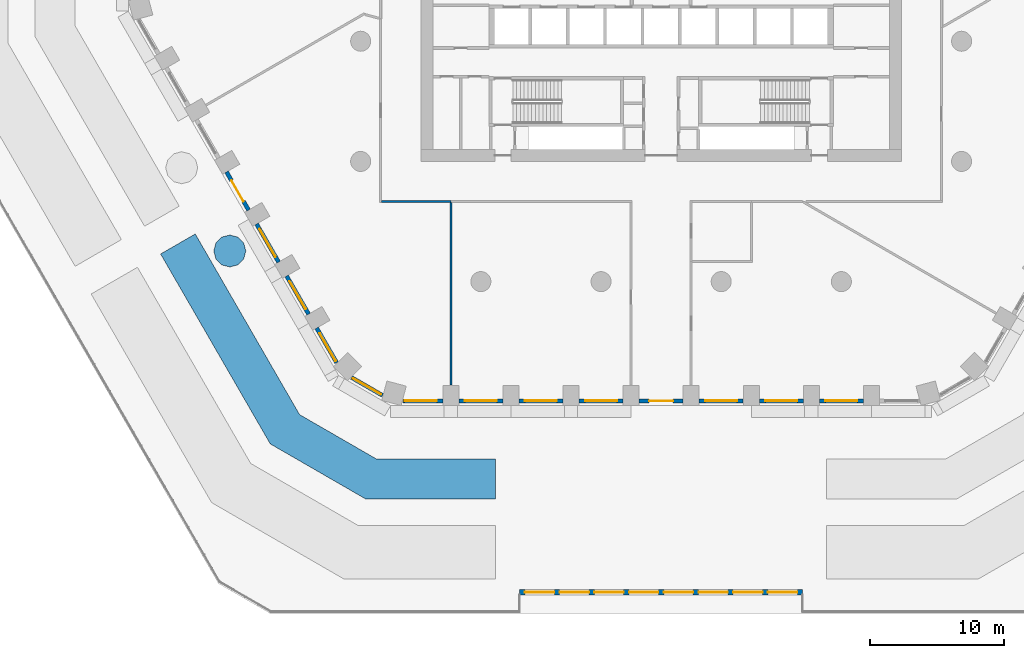
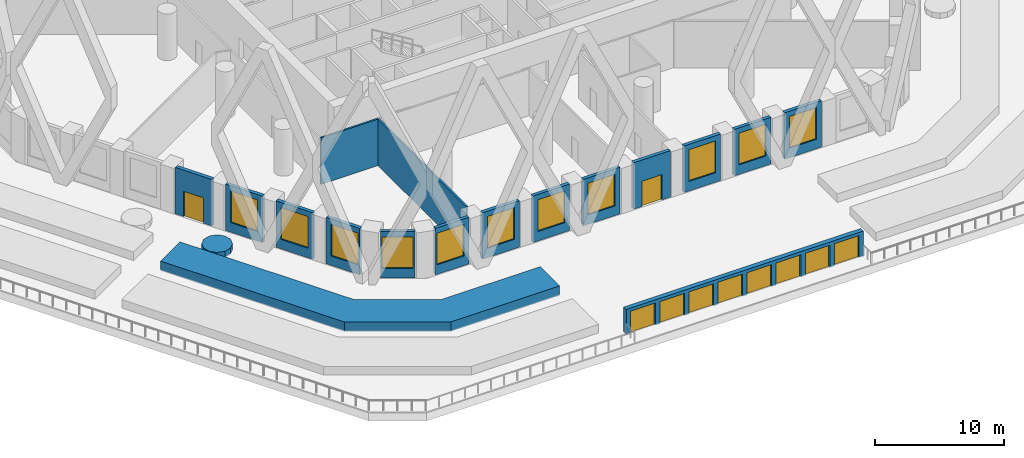
# One storey, part 3 of 27: 18 walls, 11 windows, 10 doors, 21 openings.
"""IFC4 building model written with IfcOpenShell, lengths in metres."""

from ifc_helpers import new_model, si_unit, direction, frame, frame_2d, origin, place, context, subcontext, project, spatial, polyline, rectangle, outline, extrude, material, layer, layer_set, type_object, element, fill, save


model = new_model("IFC4")

# Units and contexts
model_context = context("Model", 3, precision=1e-05, world=origin(), true_north=direction((0.0, 1.0)))
body_context = subcontext(model_context, "Body", "Model", "MODEL_VIEW")
ifc_project = project(units=[si_unit("LENGTHUNIT", "METRE"), si_unit("AREAUNIT", "SQUARE_METRE"), si_unit("VOLUMEUNIT", "CUBIC_METRE"), si_unit("PLANEANGLEUNIT", "RADIAN"), si_unit("MASSUNIT", "GRAM", prefix="KILO")], contexts=[model_context])

# Site, building, storey
site_placement = place(None, origin())
site = spatial("IfcSite", under=ifc_project, at=site_placement, CompositionType="ELEMENT")
building_placement = place(site_placement, origin())
building = spatial("IfcBuilding", under=site, at=building_placement, Name="Dhurran Vertical Campus", CompositionType="ELEMENT")
storey_placement = place(building_placement, frame((0.0, 0.0, 10.800048828125)))
storey = spatial("IfcBuildingStorey", under=building, at=storey_placement, Name="L02", CompositionType="ELEMENT", Elevation=10.800048828125)

# Wall, opening, window
ifc_material_1 = material(Name="Precast concrete C50/60", Category="concrete")
ifc_layer_1 = layer(ifc_material_1, 0.300048828125)
ifc_layer_set_1 = layer_set([ifc_layer_1], Name="Precast concrete C50/60")
wall_type_1 = type_object("IfcWallType", Name="Precast spandrel wall 300", PredefinedType="SOLIDWALL", material=ifc_layer_set_1)
wall_1_placement = place(storey_placement, frame((-19.33935546875, -31.4296875, 0.0), z_axis=(0.0, 0.0, 1.0), x_axis=(1.0, 0.0, 0.0)))
wall_1 = element("IfcWall", 1, at=wall_1_placement, inside=storey, type_object=wall_type_1, Name="EW1 L02.00", PredefinedType="SOLIDWALL", context=body_context, shape_type="SweptSolid", body=[
    extrude(rectangle(XDim=2.98876953125, YDim=0.300048828125, at=frame_2d((1.494384765625, 0.0))), origin(), (0.0, 0.0, 1.0), 4.39990234375),
])
opening_1_placement = place(wall_1_placement, frame((0.139404296875, 0.0, 0.89990234375)))
opening_1 = element("IfcOpeningElement", 2, at=opening_1_placement, cuts=wall_1, Name="Opening WT2", PredefinedType="OPENING", context=body_context, shape_type="SweptSolid", body=[
    extrude(rectangle(XDim=2.39990234375, YDim=3.0, at=frame_2d((1.199951171875, 1.5))), frame((0.0, 0.159912109375, 0.0), z_axis=(0.0, -1.0, 0.0), x_axis=(1.0, 0.0, 0.0)), (0.0, 0.0, 1.0), 0.320068359375),
])
ifc_material_2 = material(Name="Aluminium frame with solar-control glass", Category="aluminium")
window_type = type_object("IfcWindowType", Name="Podium window 2400 x 3000", PartitioningType="SINGLE_PANEL", PredefinedType="WINDOW", material=ifc_material_2)
window_1_placement = place(opening_1_placement, origin())
window_1 = element("IfcWindow", 3, at=window_1_placement, inside=storey, type_object=window_type, Name="WT2 L02.00", OverallHeight=3.0, OverallWidth=2.39990234375, PartitioningType="SINGLE_PANEL", PredefinedType="WINDOW", context=body_context, shape_type="SweptSolid", body=[
    extrude(rectangle(XDim=2.39990234375, YDim=3.0, at=frame_2d((1.199951171875, 1.5))), frame((0.0, 0.030029296875, 0.0), z_axis=(0.0, -1.0, 0.0), x_axis=(1.0, 0.0, 0.0)), (0.0, 0.0, 1.0), 0.06005859375),
])
fill(opening_1, window_1)

wall_2_placement = place(storey_placement, frame((-15.1494140625, -31.4296875, 0.0), z_axis=(0.0, 0.0, 1.0), x_axis=(1.0, 0.0, 0.0)))
wall_2 = element("IfcWall", 4, at=wall_2_placement, inside=storey, type_object=wall_type_1, Name="EW1 L02.01", PredefinedType="SOLIDWALL", context=body_context, shape_type="SweptSolid", body=[
    extrude(rectangle(XDim=3.298828125, YDim=0.300048828125, at=frame_2d((1.6494140625, 0.0))), origin(), (0.0, 0.0, 1.0), 4.39990234375),
])
opening_2_placement = place(wall_2_placement, frame((0.449462890625, 0.0, 0.89990234375)))
opening_2 = element("IfcOpeningElement", 5, at=opening_2_placement, cuts=wall_2, Name="Opening WT2", PredefinedType="OPENING", context=body_context, shape_type="SweptSolid", body=[
    extrude(rectangle(XDim=2.39990234375, YDim=3.0, at=frame_2d((1.199951171875, 1.5))), frame((0.0, 0.159912109375, 0.0), z_axis=(0.0, -1.0, 0.0), x_axis=(1.0, 0.0, 0.0)), (0.0, 0.0, 1.0), 0.320068359375),
])
window_2_placement = place(opening_2_placement, origin())
window_2 = element("IfcWindow", 6, at=window_2_placement, inside=storey, type_object=window_type, Name="WT2 L02.01", OverallHeight=3.0, OverallWidth=2.39990234375, PartitioningType="SINGLE_PANEL", PredefinedType="WINDOW", context=body_context, shape_type="SweptSolid", body=[
    extrude(rectangle(XDim=2.39990234375, YDim=3.0, at=frame_2d((1.199951171875, 1.5))), frame((0.0, 0.030029296875, 0.0), z_axis=(0.0, -1.0, 0.0), x_axis=(1.0, 0.0, 0.0)), (0.0, 0.0, 1.0), 0.06005859375),
])
fill(opening_2, window_2)

wall_3_placement = place(storey_placement, frame((-10.6494140625, -31.4296875, 0.0), z_axis=(0.0, 0.0, 1.0), x_axis=(1.0, 0.0, 0.0)))
wall_3 = element("IfcWall", 7, at=wall_3_placement, inside=storey, type_object=wall_type_1, Name="EW1 L02.02", PredefinedType="SOLIDWALL", context=body_context, shape_type="SweptSolid", body=[
    extrude(rectangle(XDim=3.298828125, YDim=0.300048828125, at=frame_2d((1.6494140625, 0.0))), origin(), (0.0, 0.0, 1.0), 4.39990234375),
])
opening_3_placement = place(wall_3_placement, frame((0.449462890625, 0.0, 0.89990234375)))
opening_3 = element("IfcOpeningElement", 8, at=opening_3_placement, cuts=wall_3, Name="Opening WT2", PredefinedType="OPENING", context=body_context, shape_type="SweptSolid", body=[
    extrude(rectangle(XDim=2.39990234375, YDim=3.0, at=frame_2d((1.199951171875, 1.5))), frame((0.0, 0.159912109375, 0.0), z_axis=(0.0, -1.0, 0.0), x_axis=(1.0, 0.0, 0.0)), (0.0, 0.0, 1.0), 0.320068359375),
])
window_3_placement = place(opening_3_placement, origin())
window_3 = element("IfcWindow", 9, at=window_3_placement, inside=storey, type_object=window_type, Name="WT2 L02.02", OverallHeight=3.0, OverallWidth=2.39990234375, PartitioningType="SINGLE_PANEL", PredefinedType="WINDOW", context=body_context, shape_type="SweptSolid", body=[
    extrude(rectangle(XDim=2.39990234375, YDim=3.0, at=frame_2d((1.199951171875, 1.5))), frame((0.0, 0.030029296875, 0.0), z_axis=(0.0, -1.0, 0.0), x_axis=(1.0, 0.0, 0.0)), (0.0, 0.0, 1.0), 0.06005859375),
])
fill(opening_3, window_3)

wall_4_placement = place(storey_placement, frame((-6.1494140625, -31.4296875, 0.0), z_axis=(0.0, 0.0, 1.0), x_axis=(1.0, 0.0, 0.0)))
wall_4 = element("IfcWall", 10, at=wall_4_placement, inside=storey, type_object=wall_type_1, Name="EW1 L02.03", PredefinedType="SOLIDWALL", context=body_context, shape_type="SweptSolid", body=[
    extrude(rectangle(XDim=3.298828125, YDim=0.300048828125, at=frame_2d((1.6494140625, 0.0))), origin(), (0.0, 0.0, 1.0), 4.39990234375),
])
opening_4_placement = place(wall_4_placement, frame((0.449462890625, 0.0, 0.89990234375)))
opening_4 = element("IfcOpeningElement", 11, at=opening_4_placement, cuts=wall_4, Name="Opening WT2", PredefinedType="OPENING", context=body_context, shape_type="SweptSolid", body=[
    extrude(rectangle(XDim=2.39990234375, YDim=3.0, at=frame_2d((1.199951171875, 1.5))), frame((0.0, 0.159912109375, 0.0), z_axis=(0.0, -1.0, 0.0), x_axis=(1.0, 0.0, 0.0)), (0.0, 0.0, 1.0), 0.320068359375),
])
window_4_placement = place(opening_4_placement, origin())
window_4 = element("IfcWindow", 12, at=window_4_placement, inside=storey, type_object=window_type, Name="WT2 L02.03", OverallHeight=3.0, OverallWidth=2.39990234375, PartitioningType="SINGLE_PANEL", PredefinedType="WINDOW", context=body_context, shape_type="SweptSolid", body=[
    extrude(rectangle(XDim=2.39990234375, YDim=3.0, at=frame_2d((1.199951171875, 1.5))), frame((0.0, 0.030029296875, 0.0), z_axis=(0.0, -1.0, 0.0), x_axis=(1.0, 0.0, 0.0)), (0.0, 0.0, 1.0), 0.06005859375),
])
fill(opening_4, window_4)

# Wall, opening, door
wall_5_placement = place(storey_placement, frame((1.6494140625, -31.4296875, 0.0), z_axis=(0.0, 0.0, 1.0), x_axis=(-1.0, 0.0, 0.0)))
wall_5 = element("IfcWall", 13, at=wall_5_placement, inside=storey, type_object=wall_type_1, Name="EW1 L02.04", PredefinedType="SOLIDWALL", context=body_context, shape_type="SweptSolid", body=[
    extrude(rectangle(XDim=3.298828125, YDim=0.300048828125, at=frame_2d((1.6494140625, 0.0))), origin(), (0.0, 0.0, 1.0), 4.39990234375),
])
opening_5_placement = place(wall_5_placement, frame((0.74951171875, 0.0, 0.0)))
opening_5 = element("IfcOpeningElement", 14, at=opening_5_placement, cuts=wall_5, Name="Opening D101", PredefinedType="OPENING", context=body_context, shape_type="SweptSolid", body=[
    extrude(rectangle(XDim=1.800048828125, YDim=2.39990234375, at=frame_2d((0.89990234375, 1.199951171875))), frame((0.0, 0.159912109375, 0.0), z_axis=(0.0, -1.0, 0.0), x_axis=(1.0, 0.0, 0.0)), (0.0, 0.0, 1.0), 0.320068359375),
])
ifc_material_3 = material(Name="Aluminium and clear glass", Category="aluminium")
door_type_1 = type_object("IfcDoorType", Name="Aluminium and glass garden door pair 1800 x 2400", OperationType="DOUBLE_DOOR_SINGLE_SWING", PredefinedType="DOOR", material=ifc_material_3)
door_1_placement = place(opening_5_placement, origin())
door_1 = element("IfcDoor", 15, at=door_1_placement, inside=storey, type_object=door_type_1, Name="D101 garden deck door", OperationType="DOUBLE_DOOR_SINGLE_SWING", OverallHeight=2.39990234375, OverallWidth=1.800048828125, PredefinedType="DOOR", context=body_context, shape_type="SweptSolid", body=[
    extrude(rectangle(XDim=1.800048828125, YDim=2.39990234375, at=frame_2d((0.89990234375, 1.199951171875))), frame((0.0, 0.02490234375, 0.0), z_axis=(0.0, -1.0, 0.0), x_axis=(1.0, 0.0, 0.0)), (0.0, 0.0, 1.0), 0.050048828125),
])
fill(opening_5, door_1)

# Wall, opening, window
wall_6_placement = place(storey_placement, frame((2.8505859375, -31.4296875, 0.0), z_axis=(0.0, 0.0, 1.0), x_axis=(1.0, 0.0, 0.0)))
wall_6 = element("IfcWall", 16, at=wall_6_placement, inside=storey, type_object=wall_type_1, Name="EW1 L02.05", PredefinedType="SOLIDWALL", context=body_context, shape_type="SweptSolid", body=[
    extrude(rectangle(XDim=3.298828125, YDim=0.300048828125, at=frame_2d((1.6494140625, 0.0))), origin(), (0.0, 0.0, 1.0), 4.39990234375),
])
opening_6_placement = place(wall_6_placement, frame((0.449462890625, 0.0, 0.89990234375)))
opening_6 = element("IfcOpeningElement", 17, at=opening_6_placement, cuts=wall_6, Name="Opening WT2", PredefinedType="OPENING", context=body_context, shape_type="SweptSolid", body=[
    extrude(rectangle(XDim=2.39990234375, YDim=3.0, at=frame_2d((1.199951171875, 1.5))), frame((0.0, 0.159912109375, 0.0), z_axis=(0.0, -1.0, 0.0), x_axis=(1.0, 0.0, 0.0)), (0.0, 0.0, 1.0), 0.320068359375),
])
window_5_placement = place(opening_6_placement, origin())
window_5 = element("IfcWindow", 18, at=window_5_placement, inside=storey, type_object=window_type, Name="WT2 L02.05", OverallHeight=3.0, OverallWidth=2.39990234375, PartitioningType="SINGLE_PANEL", PredefinedType="WINDOW", context=body_context, shape_type="SweptSolid", body=[
    extrude(rectangle(XDim=2.39990234375, YDim=3.0, at=frame_2d((1.199951171875, 1.5))), frame((0.0, 0.030029296875, 0.0), z_axis=(0.0, -1.0, 0.0), x_axis=(1.0, 0.0, 0.0)), (0.0, 0.0, 1.0), 0.06005859375),
])
fill(opening_6, window_5)

wall_7_placement = place(storey_placement, frame((7.3505859375, -31.4296875, 0.0), z_axis=(0.0, 0.0, 1.0), x_axis=(1.0, 0.0, 0.0)))
wall_7 = element("IfcWall", 19, at=wall_7_placement, inside=storey, type_object=wall_type_1, Name="EW1 L02.06", PredefinedType="SOLIDWALL", context=body_context, shape_type="SweptSolid", body=[
    extrude(rectangle(XDim=3.298828125, YDim=0.300048828125, at=frame_2d((1.6494140625, 0.0))), origin(), (0.0, 0.0, 1.0), 4.39990234375),
])
opening_7_placement = place(wall_7_placement, frame((0.449462890625, 0.0, 0.89990234375)))
opening_7 = element("IfcOpeningElement", 20, at=opening_7_placement, cuts=wall_7, Name="Opening WT2", PredefinedType="OPENING", context=body_context, shape_type="SweptSolid", body=[
    extrude(rectangle(XDim=2.39990234375, YDim=3.0, at=frame_2d((1.199951171875, 1.5))), frame((0.0, 0.159912109375, 0.0), z_axis=(0.0, -1.0, 0.0), x_axis=(1.0, 0.0, 0.0)), (0.0, 0.0, 1.0), 0.320068359375),
])
window_6_placement = place(opening_7_placement, origin())
window_6 = element("IfcWindow", 21, at=window_6_placement, inside=storey, type_object=window_type, Name="WT2 L02.06", OverallHeight=3.0, OverallWidth=2.39990234375, PartitioningType="SINGLE_PANEL", PredefinedType="WINDOW", context=body_context, shape_type="SweptSolid", body=[
    extrude(rectangle(XDim=2.39990234375, YDim=3.0, at=frame_2d((1.199951171875, 1.5))), frame((0.0, 0.030029296875, 0.0), z_axis=(0.0, -1.0, 0.0), x_axis=(1.0, 0.0, 0.0)), (0.0, 0.0, 1.0), 0.06005859375),
])
fill(opening_7, window_6)

wall_8_placement = place(storey_placement, frame((11.8505859375, -31.4296875, 0.0), z_axis=(0.0, 0.0, 1.0), x_axis=(1.0, 0.0, 0.0)))
wall_8 = element("IfcWall", 22, at=wall_8_placement, inside=storey, type_object=wall_type_1, Name="EW1 L02.07", PredefinedType="SOLIDWALL", context=body_context, shape_type="SweptSolid", body=[
    extrude(rectangle(XDim=3.298828125, YDim=0.300048828125, at=frame_2d((1.6494140625, 0.0))), origin(), (0.0, 0.0, 1.0), 4.39990234375),
])
opening_8_placement = place(wall_8_placement, frame((0.449462890625, 0.0, 0.89990234375)))
opening_8 = element("IfcOpeningElement", 23, at=opening_8_placement, cuts=wall_8, Name="Opening WT2", PredefinedType="OPENING", context=body_context, shape_type="SweptSolid", body=[
    extrude(rectangle(XDim=2.39990234375, YDim=3.0, at=frame_2d((1.199951171875, 1.5))), frame((0.0, 0.159912109375, 0.0), z_axis=(0.0, -1.0, 0.0), x_axis=(1.0, 0.0, 0.0)), (0.0, 0.0, 1.0), 0.320068359375),
])
window_7_placement = place(opening_8_placement, origin())
window_7 = element("IfcWindow", 24, at=window_7_placement, inside=storey, type_object=window_type, Name="WT2 L02.07", OverallHeight=3.0, OverallWidth=2.39990234375, PartitioningType="SINGLE_PANEL", PredefinedType="WINDOW", context=body_context, shape_type="SweptSolid", body=[
    extrude(rectangle(XDim=2.39990234375, YDim=3.0, at=frame_2d((1.199951171875, 1.5))), frame((0.0, 0.030029296875, 0.0), z_axis=(0.0, -1.0, 0.0), x_axis=(1.0, 0.0, 0.0)), (0.0, 0.0, 1.0), 0.06005859375),
])
fill(opening_8, window_7)

# Wall, opening, door
wall_9_placement = place(storey_placement, frame((-30.894287109375, -17.143310546875, 0.0), z_axis=(0.0, 0.0, 1.0), x_axis=(-0.499991515992, 0.866030301974, 0.0)))
wall_9 = element("IfcWall", 25, at=wall_9_placement, inside=storey, type_object=wall_type_1, Name="EW1 L02.47", PredefinedType="SOLIDWALL", context=body_context, shape_type="SweptSolid", body=[
    extrude(rectangle(XDim=3.298828125, YDim=0.300048828125, at=frame_2d((1.6494140625, 0.0))), origin(), (0.0, 0.0, 1.0), 4.39990234375),
])
opening_9_placement = place(wall_9_placement, frame((0.74951171875, 0.0, 0.0)))
opening_9 = element("IfcOpeningElement", 26, at=opening_9_placement, cuts=wall_9, Name="Opening D106", PredefinedType="OPENING", context=body_context, shape_type="SweptSolid", body=[
    extrude(rectangle(XDim=1.800048828125, YDim=2.39990234375, at=frame_2d((0.89990234375, 1.199951171875))), frame((0.0, 0.159912109375, 0.0), z_axis=(0.0, -1.0, 0.0), x_axis=(1.0, 0.0, 0.0)), (0.0, 0.0, 1.0), 0.320068359375),
])
door_2_placement = place(opening_9_placement, origin())
door_2 = element("IfcDoor", 27, at=door_2_placement, inside=storey, type_object=door_type_1, Name="D106 garden deck door", OperationType="DOUBLE_DOOR_SINGLE_SWING", OverallHeight=2.39990234375, OverallWidth=1.800048828125, PredefinedType="DOOR", context=body_context, shape_type="SweptSolid", body=[
    extrude(rectangle(XDim=1.800048828125, YDim=2.39990234375, at=frame_2d((0.89990234375, 1.199951171875))), frame((0.0, 0.02490234375, 0.0), z_axis=(0.0, -1.0, 0.0), x_axis=(1.0, 0.0, 0.0)), (0.0, 0.0, 1.0), 0.050048828125),
])
fill(opening_9, door_2)

# Wall, opening, window
wall_10_placement = place(storey_placement, frame((-30.293701171875, -18.18359375, 0.0), z_axis=(0.0, 0.0, 1.0), x_axis=(0.499991515992, -0.866030301974, 0.0)))
wall_10 = element("IfcWall", 28, at=wall_10_placement, inside=storey, type_object=wall_type_1, Name="EW1 L02.48", PredefinedType="SOLIDWALL", context=body_context, shape_type="SweptSolid", body=[
    extrude(rectangle(XDim=3.298828125, YDim=0.300048828125, at=frame_2d((1.6494140625, 0.0))), origin(), (0.0, 0.0, 1.0), 4.39990234375),
])
opening_10_placement = place(wall_10_placement, frame((0.449462890625, 0.0, 0.89990234375)))
opening_10 = element("IfcOpeningElement", 29, at=opening_10_placement, cuts=wall_10, Name="Opening WT2", PredefinedType="OPENING", context=body_context, shape_type="SweptSolid", body=[
    extrude(rectangle(XDim=2.39990234375, YDim=3.0, at=frame_2d((1.199951171875, 1.5))), frame((0.0, 0.159912109375, 0.0), z_axis=(0.0, -1.0, 0.0), x_axis=(1.0, 0.0, 0.0)), (0.0, 0.0, 1.0), 0.320068359375),
])
window_8_placement = place(opening_10_placement, origin())
window_8 = element("IfcWindow", 30, at=window_8_placement, inside=storey, type_object=window_type, Name="WT2 L02.48", OverallHeight=3.0, OverallWidth=2.39990234375, PartitioningType="SINGLE_PANEL", PredefinedType="WINDOW", context=body_context, shape_type="SweptSolid", body=[
    extrude(rectangle(XDim=2.39990234375, YDim=3.0, at=frame_2d((1.199951171875, 1.5))), frame((0.0, 0.030029296875, 0.0), z_axis=(0.0, -1.0, 0.0), x_axis=(1.0, 0.0, 0.0)), (0.0, 0.0, 1.0), 0.06005859375),
])
fill(opening_10, window_8)

wall_11_placement = place(storey_placement, frame((-28.043701171875, -22.08056640625, 0.0), z_axis=(0.0, 0.0, 1.0), x_axis=(0.499991515992, -0.866030301974, 0.0)))
wall_11 = element("IfcWall", 31, at=wall_11_placement, inside=storey, type_object=wall_type_1, Name="EW1 L02.49", PredefinedType="SOLIDWALL", context=body_context, shape_type="SweptSolid", body=[
    extrude(rectangle(XDim=3.298828125, YDim=0.300048828125, at=frame_2d((1.6494140625, 0.0))), origin(), (0.0, 0.0, 1.0), 4.39990234375),
])
opening_11_placement = place(wall_11_placement, frame((0.449462890625, 0.0, 0.89990234375)))
opening_11 = element("IfcOpeningElement", 32, at=opening_11_placement, cuts=wall_11, Name="Opening WT2", PredefinedType="OPENING", context=body_context, shape_type="SweptSolid", body=[
    extrude(rectangle(XDim=2.39990234375, YDim=3.0, at=frame_2d((1.199951171875, 1.5))), frame((0.0, 0.159912109375, 0.0), z_axis=(0.0, -1.0, 0.0), x_axis=(1.0, 0.0, 0.0)), (0.0, 0.0, 1.0), 0.320068359375),
])
window_9_placement = place(opening_11_placement, origin())
window_9 = element("IfcWindow", 33, at=window_9_placement, inside=storey, type_object=window_type, Name="WT2 L02.49", OverallHeight=3.0, OverallWidth=2.39990234375, PartitioningType="SINGLE_PANEL", PredefinedType="WINDOW", context=body_context, shape_type="SweptSolid", body=[
    extrude(rectangle(XDim=2.39990234375, YDim=3.0, at=frame_2d((1.199951171875, 1.5))), frame((0.0, 0.030029296875, 0.0), z_axis=(0.0, -1.0, 0.0), x_axis=(1.0, 0.0, 0.0)), (0.0, 0.0, 1.0), 0.06005859375),
])
fill(opening_11, window_9)

wall_12_placement = place(storey_placement, frame((-25.793701171875, -25.977783203125, 0.0), z_axis=(0.0, 0.0, 1.0), x_axis=(0.49999586137, -0.866027793211, 0.0)))
wall_12 = element("IfcWall", 34, at=wall_12_placement, inside=storey, type_object=wall_type_1, Name="EW1 L02.50", PredefinedType="SOLIDWALL", context=body_context, shape_type="SweptSolid", body=[
    extrude(rectangle(XDim=2.98876953125, YDim=0.300048828125, at=frame_2d((1.494384765625, 0.0))), origin(), (0.0, 0.0, 1.0), 4.39990234375),
])
opening_12_placement = place(wall_12_placement, frame((0.449462890625, 0.0, 0.89990234375)))
opening_12 = element("IfcOpeningElement", 35, at=opening_12_placement, cuts=wall_12, Name="Opening WT2", PredefinedType="OPENING", context=body_context, shape_type="SweptSolid", body=[
    extrude(rectangle(XDim=2.39990234375, YDim=3.0, at=frame_2d((1.199951171875, 1.5))), frame((0.0, 0.159912109375, 0.0), z_axis=(0.0, -1.0, 0.0), x_axis=(1.0, 0.0, 0.0)), (0.0, 0.0, 1.0), 0.320068359375),
])
window_10_placement = place(opening_12_placement, origin())
window_10 = element("IfcWindow", 36, at=window_10_placement, inside=storey, type_object=window_type, Name="WT2 L02.50", OverallHeight=3.0, OverallWidth=2.39990234375, PartitioningType="SINGLE_PANEL", PredefinedType="WINDOW", context=body_context, shape_type="SweptSolid", body=[
    extrude(rectangle(XDim=2.39990234375, YDim=3.0, at=frame_2d((1.199951171875, 1.5))), frame((0.0, 0.030029296875, 0.0), z_axis=(0.0, -1.0, 0.0), x_axis=(1.0, 0.0, 0.0)), (0.0, 0.0, 1.0), 0.06005859375),
])
fill(opening_12, window_10)

wall_13_placement = place(storey_placement, frame((-23.183349609375, -29.681884765625, 0.0), z_axis=(0.0, 0.0, 1.0), x_axis=(0.866001915448, -0.500040680786, 0.0)))
wall_13 = element("IfcWall", 37, at=wall_13_placement, inside=storey, type_object=wall_type_1, Name="EW1 L02.51", PredefinedType="SOLIDWALL", context=body_context, shape_type="SweptSolid", body=[
    extrude(rectangle(XDim=2.678466796875, YDim=0.300048828125, at=frame_2d((1.33935546875, 0.0))), origin(), (0.0, 0.0, 1.0), 4.39990234375),
])
opening_13_placement = place(wall_13_placement, frame((0.139404296875, 0.0, 0.89990234375)))
opening_13 = element("IfcOpeningElement", 38, at=opening_13_placement, cuts=wall_13, Name="Opening WT2", PredefinedType="OPENING", context=body_context, shape_type="SweptSolid", body=[
    extrude(rectangle(XDim=2.39990234375, YDim=3.0, at=frame_2d((1.199951171875, 1.5))), frame((0.0, 0.159912109375, 0.0), z_axis=(0.0, -1.0, 0.0), x_axis=(1.0, 0.0, 0.0)), (0.0, 0.0, 1.0), 0.320068359375),
])
window_11_placement = place(opening_13_placement, origin())
window_11 = element("IfcWindow", 39, at=window_11_placement, inside=storey, type_object=window_type, Name="WT2 L02.51", OverallHeight=3.0, OverallWidth=2.39990234375, PartitioningType="SINGLE_PANEL", PredefinedType="WINDOW", context=body_context, shape_type="SweptSolid", body=[
    extrude(rectangle(XDim=2.39990234375, YDim=3.0, at=frame_2d((1.199951171875, 1.5))), frame((0.0, 0.030029296875, 0.0), z_axis=(0.0, -1.0, 0.0), x_axis=(1.0, 0.0, 0.0)), (0.0, 0.0, 1.0), 0.06005859375),
])
fill(opening_13, window_11)

# Walls
ifc_material_4 = material(Name="Gypsum board corridor wall on steel studs", Category="steel")
ifc_layer_2 = layer(ifc_material_4, 0.14990234375)
ifc_layer_set_2 = layer_set([ifc_layer_2], Name="Gypsum board corridor wall on steel studs")
wall_type_2 = type_object("IfcWallType", Name="fl-CW-150 corridor wall", PredefinedType="PARTITIONING", material=ifc_layer_set_2)
wall_14_placement = place(storey_placement, frame((-20.925048828125, -16.5, 0.0), z_axis=(0.0, 0.0, 1.0), x_axis=(1.0, 0.0, 0.0)))
element("IfcWall", 40, at=wall_14_placement, inside=storey, type_object=wall_type_2, Name="Partition 02-05", PredefinedType="PARTITIONING", context=body_context, shape_type="SweptSolid", body=[
    extrude(rectangle(XDim=5.175048828125, YDim=0.14990234375, at=frame_2d((2.58740234375, 0.0))), origin(), (0.0, 0.0, 1.0), 4.39990234375),
])
ifc_material_5 = material(Name="Gypsum board partition on steel studs", Category="steel")
ifc_layer_3 = layer(ifc_material_5, 0.14990234375)
ifc_layer_set_3 = layer_set([ifc_layer_3], Name="Gypsum board partition on steel studs")
wall_type_3 = type_object("IfcWallType", Name="fl-PW-150 fixed partition", PredefinedType="PARTITIONING", material=ifc_layer_set_3)
wall_15_placement = place(storey_placement, frame((-15.75, -16.574951171875, 0.0), z_axis=(0.0, 0.0, 1.0), x_axis=(0.0, -1.0, 0.0)))
element("IfcWall", 41, at=wall_15_placement, inside=storey, type_object=wall_type_3, Name="Partition 02-13", PredefinedType="PARTITIONING", context=body_context, shape_type="SweptSolid", body=[
    extrude(rectangle(XDim=13.684814453125, YDim=0.14990234375, at=frame_2d((6.84228515625, 0.0))), origin(), (0.0, 0.0, 1.0), 4.39990234375),
])

# Wall, openings, doors
ifc_material_6 = material(Name="Concrete C35/45", Category="concrete")
ifc_layer_4 = layer(ifc_material_6, 0.39990234375)
ifc_layer_set_4 = layer_set([ifc_layer_4], Name="Concrete C35/45")
wall_type_4 = type_object("IfcWallType", Name="st-gate wall 400", PredefinedType="SOLIDWALL", material=ifc_layer_set_4)
wall_16_placement = place(storey_placement, frame((10.60009765625, -45.768310546875, 0.0), z_axis=(0.0, 0.0, 1.0), x_axis=(-1.0, 0.0, 0.0)))
wall_16 = element("IfcWall", 42, at=wall_16_placement, inside=storey, type_object=wall_type_4, Name="Deck stair gate wall", PredefinedType="SOLIDWALL", context=body_context, shape_type="SweptSolid", body=[
    extrude(rectangle(XDim=21.2001953125, YDim=0.39990234375, at=frame_2d((10.60009765625, 0.0))), origin(), (0.0, 0.0, 1.0), 2.39990234375),
])
opening_14_placement = place(wall_16_placement, frame((0.39990234375, 0.0, 0.0)))
opening_14 = element("IfcOpeningElement", 43, at=opening_14_placement, cuts=wall_16, Name="Opening GT06", PredefinedType="OPENING", context=body_context, shape_type="SweptSolid", body=[
    extrude(rectangle(XDim=2.199951171875, YDim=2.10009765625, at=frame_2d((1.10009765625, 1.050048828125))), frame((0.0, 0.2099609375, 0.0), z_axis=(0.0, -1.0, 0.0), x_axis=(1.0, 0.0, 0.0)), (0.0, 0.0, 1.0), 0.419921875),
])
opening_15_placement = place(wall_16_placement, frame((3.0, 0.0, 0.0)))
opening_15 = element("IfcOpeningElement", 44, at=opening_15_placement, cuts=wall_16, Name="Opening GT07", PredefinedType="OPENING", context=body_context, shape_type="SweptSolid", body=[
    extrude(rectangle(XDim=2.199951171875, YDim=2.10009765625, at=frame_2d((1.10009765625, 1.050048828125))), frame((0.0, 0.2099609375, 0.0), z_axis=(0.0, -1.0, 0.0), x_axis=(1.0, 0.0, 0.0)), (0.0, 0.0, 1.0), 0.419921875),
])
opening_16_placement = place(wall_16_placement, frame((5.60009765625, 0.0, 0.0)))
opening_16 = element("IfcOpeningElement", 45, at=opening_16_placement, cuts=wall_16, Name="Opening GT08", PredefinedType="OPENING", context=body_context, shape_type="SweptSolid", body=[
    extrude(rectangle(XDim=2.199951171875, YDim=2.10009765625, at=frame_2d((1.10009765625, 1.050048828125))), frame((0.0, 0.2099609375, 0.0), z_axis=(0.0, -1.0, 0.0), x_axis=(1.0, 0.0, 0.0)), (0.0, 0.0, 1.0), 0.419921875),
])
opening_17_placement = place(wall_16_placement, frame((8.199951171875, 0.0, 0.0)))
opening_17 = element("IfcOpeningElement", 46, at=opening_17_placement, cuts=wall_16, Name="Opening GT09", PredefinedType="OPENING", context=body_context, shape_type="SweptSolid", body=[
    extrude(rectangle(XDim=2.199951171875, YDim=2.10009765625, at=frame_2d((1.10009765625, 1.050048828125))), frame((0.0, 0.2099609375, 0.0), z_axis=(0.0, -1.0, 0.0), x_axis=(1.0, 0.0, 0.0)), (0.0, 0.0, 1.0), 0.419921875),
])
opening_18_placement = place(wall_16_placement, frame((10.800048828125, 0.0, 0.0)))
opening_18 = element("IfcOpeningElement", 47, at=opening_18_placement, cuts=wall_16, Name="Opening GT10", PredefinedType="OPENING", context=body_context, shape_type="SweptSolid", body=[
    extrude(rectangle(XDim=2.199951171875, YDim=2.10009765625, at=frame_2d((1.10009765625, 1.050048828125))), frame((0.0, 0.2099609375, 0.0), z_axis=(0.0, -1.0, 0.0), x_axis=(1.0, 0.0, 0.0)), (0.0, 0.0, 1.0), 0.419921875),
])
opening_19_placement = place(wall_16_placement, frame((13.39990234375, 0.0, 0.0)))
opening_19 = element("IfcOpeningElement", 48, at=opening_19_placement, cuts=wall_16, Name="Opening GT11", PredefinedType="OPENING", context=body_context, shape_type="SweptSolid", body=[
    extrude(rectangle(XDim=2.199951171875, YDim=2.10009765625, at=frame_2d((1.10009765625, 1.050048828125))), frame((0.0, 0.2099609375, 0.0), z_axis=(0.0, -1.0, 0.0), x_axis=(1.0, 0.0, 0.0)), (0.0, 0.0, 1.0), 0.419921875),
])
opening_20_placement = place(wall_16_placement, frame((16.0, 0.0, 0.0)))
opening_20 = element("IfcOpeningElement", 49, at=opening_20_placement, cuts=wall_16, Name="Opening GT12", PredefinedType="OPENING", context=body_context, shape_type="SweptSolid", body=[
    extrude(rectangle(XDim=2.199951171875, YDim=2.10009765625, at=frame_2d((1.10009765625, 1.050048828125))), frame((0.0, 0.2099609375, 0.0), z_axis=(0.0, -1.0, 0.0), x_axis=(1.0, 0.0, 0.0)), (0.0, 0.0, 1.0), 0.419921875),
])
opening_21_placement = place(wall_16_placement, frame((18.60009765625, 0.0, 0.0)))
opening_21 = element("IfcOpeningElement", 50, at=opening_21_placement, cuts=wall_16, Name="Opening GT13", PredefinedType="OPENING", context=body_context, shape_type="SweptSolid", body=[
    extrude(rectangle(XDim=2.199951171875, YDim=2.10009765625, at=frame_2d((1.10009765625, 1.050048828125))), frame((0.0, 0.2099609375, 0.0), z_axis=(0.0, -1.0, 0.0), x_axis=(1.0, 0.0, 0.0)), (0.0, 0.0, 1.0), 0.419921875),
])
ifc_material_7 = material(Name="Galvanised sheet steel", Category="steel")
door_type_2 = type_object("IfcDoorType", Name="st-deck stair gate double leaf 2200x2100", OperationType="DOUBLE_DOOR_SINGLE_SWING", PredefinedType="GATE", material=ifc_material_7)
door_3_placement = place(opening_14_placement, origin())
door_3 = element("IfcDoor", 51, at=door_3_placement, inside=storey, type_object=door_type_2, Name="Gate GT06 deck stair head 1", OperationType="DOUBLE_DOOR_SINGLE_SWING", OverallHeight=2.10009765625, OverallWidth=2.199951171875, PredefinedType="GATE", context=body_context, shape_type="SweptSolid", body=[
    extrude(rectangle(XDim=2.199951171875, YDim=2.10009765625, at=frame_2d((1.10009765625, 1.050048828125))), frame((0.0, 0.02490234375, 0.0), z_axis=(0.0, -1.0, 0.0), x_axis=(1.0, 0.0, 0.0)), (0.0, 0.0, 1.0), 0.050048828125),
])
fill(opening_14, door_3)
door_4_placement = place(opening_15_placement, origin())
door_4 = element("IfcDoor", 52, at=door_4_placement, inside=storey, type_object=door_type_2, Name="Gate GT07 deck stair head 2", OperationType="DOUBLE_DOOR_SINGLE_SWING", OverallHeight=2.10009765625, OverallWidth=2.199951171875, PredefinedType="GATE", context=body_context, shape_type="SweptSolid", body=[
    extrude(rectangle(XDim=2.199951171875, YDim=2.10009765625, at=frame_2d((1.10009765625, 1.050048828125))), frame((0.0, 0.02490234375, 0.0), z_axis=(0.0, -1.0, 0.0), x_axis=(1.0, 0.0, 0.0)), (0.0, 0.0, 1.0), 0.050048828125),
])
fill(opening_15, door_4)
door_5_placement = place(opening_16_placement, origin())
door_5 = element("IfcDoor", 53, at=door_5_placement, inside=storey, type_object=door_type_2, Name="Gate GT08 deck stair head 3", OperationType="DOUBLE_DOOR_SINGLE_SWING", OverallHeight=2.10009765625, OverallWidth=2.199951171875, PredefinedType="GATE", context=body_context, shape_type="SweptSolid", body=[
    extrude(rectangle(XDim=2.199951171875, YDim=2.10009765625, at=frame_2d((1.10009765625, 1.050048828125))), frame((0.0, 0.02490234375, 0.0), z_axis=(0.0, -1.0, 0.0), x_axis=(1.0, 0.0, 0.0)), (0.0, 0.0, 1.0), 0.050048828125),
])
fill(opening_16, door_5)
door_6_placement = place(opening_17_placement, origin())
door_6 = element("IfcDoor", 54, at=door_6_placement, inside=storey, type_object=door_type_2, Name="Gate GT09 deck stair head 4", OperationType="DOUBLE_DOOR_SINGLE_SWING", OverallHeight=2.10009765625, OverallWidth=2.199951171875, PredefinedType="GATE", context=body_context, shape_type="SweptSolid", body=[
    extrude(rectangle(XDim=2.199951171875, YDim=2.10009765625, at=frame_2d((1.10009765625, 1.050048828125))), frame((0.0, 0.02490234375, 0.0), z_axis=(0.0, -1.0, 0.0), x_axis=(1.0, 0.0, 0.0)), (0.0, 0.0, 1.0), 0.050048828125),
])
fill(opening_17, door_6)
door_7_placement = place(opening_18_placement, origin())
door_7 = element("IfcDoor", 55, at=door_7_placement, inside=storey, type_object=door_type_2, Name="Gate GT10 deck stair head 5", OperationType="DOUBLE_DOOR_SINGLE_SWING", OverallHeight=2.10009765625, OverallWidth=2.199951171875, PredefinedType="GATE", context=body_context, shape_type="SweptSolid", body=[
    extrude(rectangle(XDim=2.199951171875, YDim=2.10009765625, at=frame_2d((1.10009765625, 1.050048828125))), frame((0.0, 0.02490234375, 0.0), z_axis=(0.0, -1.0, 0.0), x_axis=(1.0, 0.0, 0.0)), (0.0, 0.0, 1.0), 0.050048828125),
])
fill(opening_18, door_7)
door_8_placement = place(opening_19_placement, origin())
door_8 = element("IfcDoor", 56, at=door_8_placement, inside=storey, type_object=door_type_2, Name="Gate GT11 deck stair head 6", OperationType="DOUBLE_DOOR_SINGLE_SWING", OverallHeight=2.10009765625, OverallWidth=2.199951171875, PredefinedType="GATE", context=body_context, shape_type="SweptSolid", body=[
    extrude(rectangle(XDim=2.199951171875, YDim=2.10009765625, at=frame_2d((1.10009765625, 1.050048828125))), frame((0.0, 0.02490234375, 0.0), z_axis=(0.0, -1.0, 0.0), x_axis=(1.0, 0.0, 0.0)), (0.0, 0.0, 1.0), 0.050048828125),
])
fill(opening_19, door_8)
door_9_placement = place(opening_20_placement, origin())
door_9 = element("IfcDoor", 57, at=door_9_placement, inside=storey, type_object=door_type_2, Name="Gate GT12 deck stair head 7", OperationType="DOUBLE_DOOR_SINGLE_SWING", OverallHeight=2.10009765625, OverallWidth=2.199951171875, PredefinedType="GATE", context=body_context, shape_type="SweptSolid", body=[
    extrude(rectangle(XDim=2.199951171875, YDim=2.10009765625, at=frame_2d((1.10009765625, 1.050048828125))), frame((0.0, 0.02490234375, 0.0), z_axis=(0.0, -1.0, 0.0), x_axis=(1.0, 0.0, 0.0)), (0.0, 0.0, 1.0), 0.050048828125),
])
fill(opening_20, door_9)
door_10_placement = place(opening_21_placement, origin())
door_10 = element("IfcDoor", 58, at=door_10_placement, inside=storey, type_object=door_type_2, Name="Gate GT13 deck stair head 8", OperationType="DOUBLE_DOOR_SINGLE_SWING", OverallHeight=2.10009765625, OverallWidth=2.199951171875, PredefinedType="GATE", context=body_context, shape_type="SweptSolid", body=[
    extrude(rectangle(XDim=2.199951171875, YDim=2.10009765625, at=frame_2d((1.10009765625, 1.050048828125))), frame((0.0, 0.02490234375, 0.0), z_axis=(0.0, -1.0, 0.0), x_axis=(1.0, 0.0, 0.0)), (0.0, 0.0, 1.0), 0.050048828125),
])
fill(opening_21, door_10)

# Walls
ifc_material_8 = material(Name="Concrete C35/45", Category="concrete")
ifc_layer_5 = layer(ifc_material_8, 3.0)
ifc_layer_set_5 = layer_set([ifc_layer_5], Name="Concrete C35/45")
wall_type_5 = type_object("IfcWallType", Name="st-planting bed 900", PredefinedType="SOLIDWALL", material=ifc_layer_set_5)
wall_17_placement = place(storey_placement, origin())
element("IfcWall", 59, at=wall_17_placement, inside=storey, type_object=wall_type_5, Name="Planter 03", PredefinedType="SOLIDWALL", context=body_context, shape_type="SweptSolid", body=[
    extrude(outline(polyline([(-12.39990234375, -38.77978515625), (-12.39990234375, -35.77978515625), (-21.32177734375, -35.77978515625), (-27.0751953125, -32.4580078125), (-34.88623046875, -18.92919921875), (-37.484375, -20.42919921875), (-29.271484375, -34.654296875), (-22.12548828125, -38.77978515625), (-12.39990234375, -38.77978515625)])), origin(), (0.0, 0.0, 1.0), 0.89990234375),
])
ifc_material_9 = material(Name="Concrete C35/45", Category="concrete")
ifc_layer_6 = layer(ifc_material_9, 2.39990234375)
ifc_layer_set_6 = layer_set([ifc_layer_6], Name="Concrete C35/45")
wall_type_6 = type_object("IfcWallType", Name="st-tree pit 600", PredefinedType="SOLIDWALL", material=ifc_layer_set_6)
wall_18_placement = place(storey_placement, origin())
element("IfcWall", 60, at=wall_18_placement, inside=storey, type_object=wall_type_6, Name="Tree pit 10", PredefinedType="SOLIDWALL", context=body_context, shape_type="SweptSolid", body=[
    extrude(outline(polyline([(-31.1005859375, -20.20751953125), (-31.26123046875, -20.8076171875), (-31.70068359375, -21.246826171875), (-32.300537109375, -21.40771484375), (-32.900634765625, -21.246826171875), (-33.33984375, -20.8076171875), (-33.50048828125, -20.20751953125), (-33.33984375, -19.607666015625), (-32.900634765625, -19.16845703125), (-32.300537109375, -19.007568359375), (-31.70068359375, -19.16845703125), (-31.26123046875, -19.607666015625), (-31.1005859375, -20.20751953125)])), origin(), (0.0, 0.0, 1.0), 0.599853515625),
])

save(model, "model.ifc")
